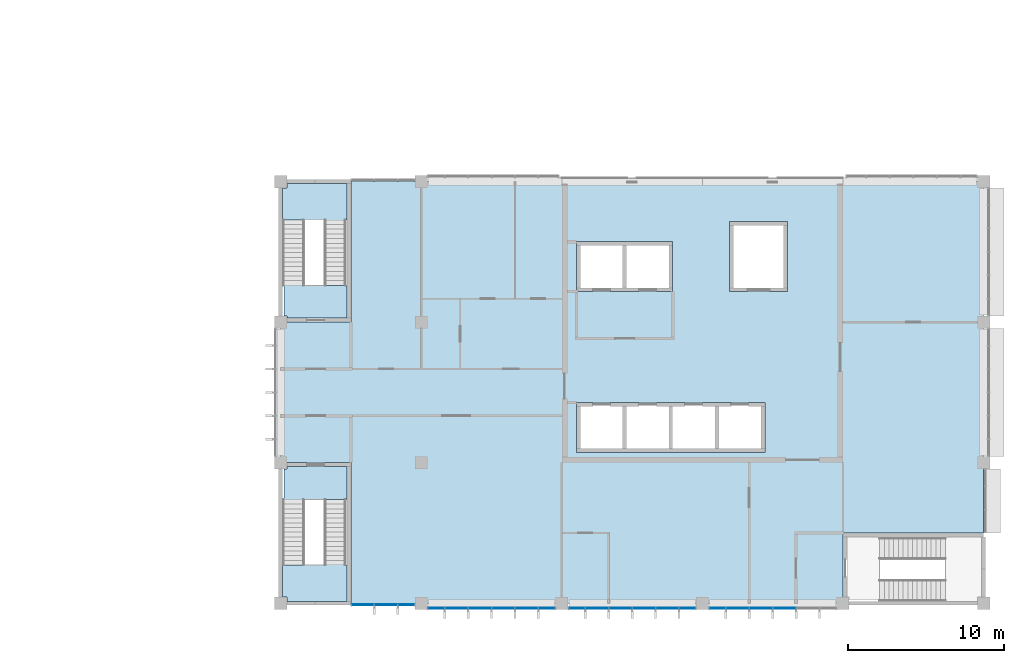
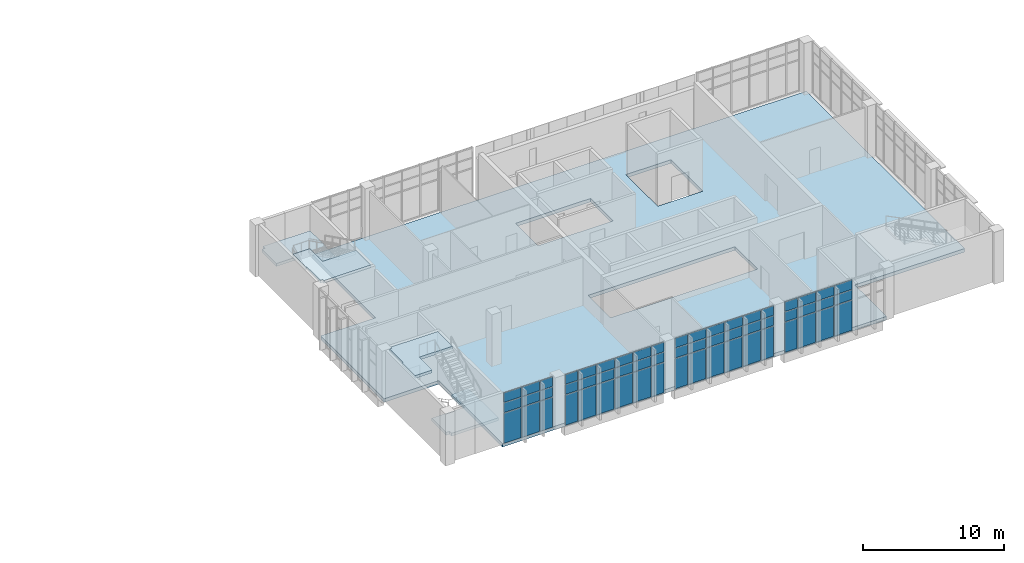
# One storey, part 19 of 40: 57 plates, 5 slabs, 6 elements without a shape of their own.
"""IFC4 building model written with IfcOpenShell, lengths in metres."""

from ifc_helpers import new_model, si_unit, direction, frame, origin, origin_2d, place, context, subcontext, project, spatial, polyline, rectangle, outline, extrude, material, layer, layer_set, type_object, element, aggregate, save


model = new_model("IFC4")

# Units and contexts
model_context = context("Model", 3, precision=1e-05, world=origin(), true_north=direction((0.0, 1.0)))
body_context = subcontext(model_context, "Body", "Model", "MODEL_VIEW")
ifc_project = project(units=[si_unit("LENGTHUNIT", "METRE"), si_unit("AREAUNIT", "SQUARE_METRE"), si_unit("VOLUMEUNIT", "CUBIC_METRE"), si_unit("PLANEANGLEUNIT", "RADIAN"), si_unit("MASSUNIT", "GRAM", prefix="KILO")], contexts=[model_context])

# Site, building, storey
site_placement = place(None, origin())
site = spatial("IfcSite", under=ifc_project, at=site_placement, CompositionType="ELEMENT")
building_placement = place(site_placement, origin())
building = spatial("IfcBuilding", under=site, at=building_placement, Name="Guidao Yard Department Store", CompositionType="ELEMENT")
storey_placement = place(building_placement, frame((0.0, 0.0, 24.0)))
storey = spatial("IfcBuildingStorey", under=building, at=storey_placement, Name="L05", CompositionType="ELEMENT", Elevation=24.0)

# Slab
ifc_material_1 = material(Name="Concrete C35", Category="concrete")
ifc_layer_1 = layer(ifc_material_1, 0.300048828125)
ifc_layer_set_1 = layer_set([ifc_layer_1], Name="Flat slab 300 C35")
slab_type_1 = type_object("IfcSlabType", Name="Flat slab 300 C35", PredefinedType="FLOOR", material=ifc_layer_set_1)
slab_1_placement = place(storey_placement, frame((0.0, 0.0, -0.300048828125)))
element("IfcSlab", 1, at=slab_1_placement, inside=storey, type_object=slab_type_1, Name="Slab L05-O", PredefinedType="FLOOR", context=body_context, shape_type="SweptSolid", body=[
    extrude(outline(polyline([(171.0, 4.5), (162.0, 4.5), (162.0, 0.0), (130.5, 0.0), (130.5, 9.0), (126.0, 9.0), (126.0, 18.0), (130.5, 18.0), (130.5, 27.0), (171.0, 27.0), (171.0, 4.5)]), holes=[polyline([(153.800048828125, 12.85009765625), (151.10009765625, 12.85009765625), (150.85009765625, 12.85009765625), (148.14990234375, 12.85009765625), (147.89990234375, 12.85009765625), (144.949951171875, 12.85009765625), (144.949951171875, 9.64990234375), (147.89990234375, 9.64990234375), (148.14990234375, 9.64990234375), (150.85009765625, 9.64990234375), (151.10009765625, 9.64990234375), (153.800048828125, 9.64990234375), (154.050048828125, 9.64990234375), (157.0, 9.64990234375), (157.0, 12.85009765625), (154.050048828125, 12.85009765625), (153.800048828125, 12.85009765625)]), polyline([(147.89990234375, 19.949951171875), (148.14990234375, 19.949951171875), (151.10009765625, 19.949951171875), (151.10009765625, 23.14990234375), (148.14990234375, 23.14990234375), (147.89990234375, 23.14990234375), (144.949951171875, 23.14990234375), (144.949951171875, 19.949951171875), (147.89990234375, 19.949951171875)]), polyline([(154.75, 19.949951171875), (158.449951171875, 19.949951171875), (158.449951171875, 24.449951171875), (154.75, 24.449951171875), (154.75, 19.949951171875)])]), origin(), (0.0, 0.0, 1.0), 0.300048828125),
])

# Curtain wall, plates
ifc_material_2 = material(Name="Aluminium and glass", Category="aluminium")
ifc_layer_2 = layer(ifc_material_2, 0.159912109375)
ifc_layer_set_2 = layer_set([ifc_layer_2], Name="Unitised curtain wall CW4 1500 module")
curtain_wall_type = type_object("IfcCurtainWallType", Name="Unitised curtain wall CW4 1500 module", PredefinedType="NOTDEFINED", material=ifc_layer_set_2)
curtain_wall_1_placement = place(storey_placement, origin())
curtain_wall_1 = element("IfcCurtainWall", 2, at=curtain_wall_1_placement, inside=storey, type_object=curtain_wall_type, Name="Unitised curtain wall", PredefinedType="NOTDEFINED")
ifc_material_3 = material(Name="Aluminium 6063-T5 faced insulated spandrel", Category="aluminium")
ifc_layer_3 = layer(ifc_material_3, 0.06005859375)
ifc_layer_set_3 = layer_set([ifc_layer_3], Name="Spandrel panel SP1 insulated opaque")
plate_type_1 = type_object("IfcPlateType", Name="Spandrel panel SP1 insulated opaque", PredefinedType="CURTAIN_PANEL", material=ifc_layer_set_3)
plate_1_placement = place(storey_placement, frame((131.264892578125, -0.10009765625, 3.6298828125), z_axis=(0.0, 0.0, 1.0), x_axis=(-1.0, 0.0, 0.0)))
plate_1 = element("IfcPlate", 3, at=plate_1_placement, type_object=plate_type_1, Name="CW-OW-L05-01 panel 1.3", PredefinedType="CURTAIN_PANEL", context=body_context, shape_type="SweptSolid", body=[
    extrude(rectangle(XDim=1.409912109375, YDim=0.06005859375, at=origin_2d()), origin(), (0.0, 0.0, 1.0), 0.81005859375),
])
plate_2_placement = place(storey_placement, frame((132.75, -0.10009765625, 3.6298828125), z_axis=(0.0, 0.0, 1.0), x_axis=(-1.0, 0.0, 0.0)))
plate_2 = element("IfcPlate", 4, at=plate_2_placement, type_object=plate_type_1, Name="CW-OW-L05-01 panel 2.3", PredefinedType="CURTAIN_PANEL", context=body_context, shape_type="SweptSolid", body=[
    extrude(rectangle(XDim=1.43994140625, YDim=0.06005859375, at=origin_2d()), origin(), (0.0, 0.0, 1.0), 0.81005859375),
])
plate_3_placement = place(storey_placement, frame((134.034912109375, -0.10009765625, 3.6298828125), z_axis=(0.0, 0.0, 1.0), x_axis=(-1.0, 0.0, 0.0)))
plate_3 = element("IfcPlate", 5, at=plate_3_placement, type_object=plate_type_1, Name="CW-OW-L05-01 panel 3.3", PredefinedType="CURTAIN_PANEL", context=body_context, shape_type="SweptSolid", body=[
    extrude(rectangle(XDim=1.010009765625, YDim=0.06005859375, at=origin_2d()), origin(), (0.0, 0.0, 1.0), 0.81005859375),
])

curtain_wall_2_placement = place(storey_placement, origin())
curtain_wall_2 = element("IfcCurtainWall", 6, at=curtain_wall_2_placement, inside=storey, type_object=curtain_wall_type, Name="Unitised curtain wall", PredefinedType="NOTDEFINED")
plate_4_placement = place(storey_placement, frame((135.965087890625, -0.330078125, 3.6298828125), z_axis=(0.0, 0.0, 1.0), x_axis=(-1.0, 0.0, 0.0)))
plate_4 = element("IfcPlate", 7, at=plate_4_placement, type_object=plate_type_1, Name="CW-OW-L05-02 panel 1.3", PredefinedType="CURTAIN_PANEL", context=body_context, shape_type="SweptSolid", body=[
    extrude(rectangle(XDim=1.010009765625, YDim=0.06005859375, at=origin_2d()), origin(), (0.0, 0.0, 1.0), 0.81005859375),
])
plate_5_placement = place(storey_placement, frame((137.25, -0.330078125, 3.6298828125), z_axis=(0.0, 0.0, 1.0), x_axis=(-1.0, 0.0, 0.0)))
plate_5 = element("IfcPlate", 8, at=plate_5_placement, type_object=plate_type_1, Name="CW-OW-L05-02 panel 2.3", PredefinedType="CURTAIN_PANEL", context=body_context, shape_type="SweptSolid", body=[
    extrude(rectangle(XDim=1.43994140625, YDim=0.06005859375, at=origin_2d()), origin(), (0.0, 0.0, 1.0), 0.81005859375),
])
plate_6_placement = place(storey_placement, frame((138.75, -0.330078125, 3.6298828125), z_axis=(0.0, 0.0, 1.0), x_axis=(-1.0, 0.0, 0.0)))
plate_6 = element("IfcPlate", 9, at=plate_6_placement, type_object=plate_type_1, Name="CW-OW-L05-02 panel 3.3", PredefinedType="CURTAIN_PANEL", context=body_context, shape_type="SweptSolid", body=[
    extrude(rectangle(XDim=1.43994140625, YDim=0.06005859375, at=origin_2d()), origin(), (0.0, 0.0, 1.0), 0.81005859375),
])
plate_7_placement = place(storey_placement, frame((140.25, -0.330078125, 3.6298828125), z_axis=(0.0, 0.0, 1.0), x_axis=(-1.0, 0.0, 0.0)))
plate_7 = element("IfcPlate", 10, at=plate_7_placement, type_object=plate_type_1, Name="CW-OW-L05-02 panel 4.3", PredefinedType="CURTAIN_PANEL", context=body_context, shape_type="SweptSolid", body=[
    extrude(rectangle(XDim=1.43994140625, YDim=0.06005859375, at=origin_2d()), origin(), (0.0, 0.0, 1.0), 0.81005859375),
])
plate_8_placement = place(storey_placement, frame((141.75, -0.330078125, 3.6298828125), z_axis=(0.0, 0.0, 1.0), x_axis=(-1.0, 0.0, 0.0)))
plate_8 = element("IfcPlate", 11, at=plate_8_placement, type_object=plate_type_1, Name="CW-OW-L05-02 panel 5.3", PredefinedType="CURTAIN_PANEL", context=body_context, shape_type="SweptSolid", body=[
    extrude(rectangle(XDim=1.43994140625, YDim=0.06005859375, at=origin_2d()), origin(), (0.0, 0.0, 1.0), 0.81005859375),
])
plate_9_placement = place(storey_placement, frame((143.034912109375, -0.330078125, 3.6298828125), z_axis=(0.0, 0.0, 1.0), x_axis=(-1.0, 0.0, 0.0)))
plate_9 = element("IfcPlate", 12, at=plate_9_placement, type_object=plate_type_1, Name="CW-OW-L05-02 panel 6.3", PredefinedType="CURTAIN_PANEL", context=body_context, shape_type="SweptSolid", body=[
    extrude(rectangle(XDim=1.010009765625, YDim=0.06005859375, at=origin_2d()), origin(), (0.0, 0.0, 1.0), 0.81005859375),
])

curtain_wall_3_placement = place(storey_placement, origin())
curtain_wall_3 = element("IfcCurtainWall", 13, at=curtain_wall_3_placement, inside=storey, type_object=curtain_wall_type, Name="Unitised curtain wall", PredefinedType="NOTDEFINED")
plate_10_placement = place(storey_placement, frame((144.965087890625, -0.330078125, 3.6298828125), z_axis=(0.0, 0.0, 1.0), x_axis=(-1.0, 0.0, 0.0)))
plate_10 = element("IfcPlate", 14, at=plate_10_placement, type_object=plate_type_1, Name="CW-OW-L05-03 panel 1.3", PredefinedType="CURTAIN_PANEL", context=body_context, shape_type="SweptSolid", body=[
    extrude(rectangle(XDim=1.010009765625, YDim=0.06005859375, at=origin_2d()), origin(), (0.0, 0.0, 1.0), 0.81005859375),
])
plate_11_placement = place(storey_placement, frame((146.25, -0.330078125, 3.6298828125), z_axis=(0.0, 0.0, 1.0), x_axis=(-1.0, 0.0, 0.0)))
plate_11 = element("IfcPlate", 15, at=plate_11_placement, type_object=plate_type_1, Name="CW-OW-L05-03 panel 2.3", PredefinedType="CURTAIN_PANEL", context=body_context, shape_type="SweptSolid", body=[
    extrude(rectangle(XDim=1.43994140625, YDim=0.06005859375, at=origin_2d()), origin(), (0.0, 0.0, 1.0), 0.81005859375),
])
plate_12_placement = place(storey_placement, frame((147.75, -0.330078125, 3.6298828125), z_axis=(0.0, 0.0, 1.0), x_axis=(-1.0, 0.0, 0.0)))
plate_12 = element("IfcPlate", 16, at=plate_12_placement, type_object=plate_type_1, Name="CW-OW-L05-03 panel 3.3", PredefinedType="CURTAIN_PANEL", context=body_context, shape_type="SweptSolid", body=[
    extrude(rectangle(XDim=1.43994140625, YDim=0.06005859375, at=origin_2d()), origin(), (0.0, 0.0, 1.0), 0.81005859375),
])
plate_13_placement = place(storey_placement, frame((149.25, -0.330078125, 3.6298828125), z_axis=(0.0, 0.0, 1.0), x_axis=(-1.0, 0.0, 0.0)))
plate_13 = element("IfcPlate", 17, at=plate_13_placement, type_object=plate_type_1, Name="CW-OW-L05-03 panel 4.3", PredefinedType="CURTAIN_PANEL", context=body_context, shape_type="SweptSolid", body=[
    extrude(rectangle(XDim=1.43994140625, YDim=0.06005859375, at=origin_2d()), origin(), (0.0, 0.0, 1.0), 0.81005859375),
])
plate_14_placement = place(storey_placement, frame((150.75, -0.330078125, 3.6298828125), z_axis=(0.0, 0.0, 1.0), x_axis=(-1.0, 0.0, 0.0)))
plate_14 = element("IfcPlate", 18, at=plate_14_placement, type_object=plate_type_1, Name="CW-OW-L05-03 panel 5.3", PredefinedType="CURTAIN_PANEL", context=body_context, shape_type="SweptSolid", body=[
    extrude(rectangle(XDim=1.43994140625, YDim=0.06005859375, at=origin_2d()), origin(), (0.0, 0.0, 1.0), 0.81005859375),
])
plate_15_placement = place(storey_placement, frame((152.034912109375, -0.330078125, 3.6298828125), z_axis=(0.0, 0.0, 1.0), x_axis=(-1.0, 0.0, 0.0)))
plate_15 = element("IfcPlate", 19, at=plate_15_placement, type_object=plate_type_1, Name="CW-OW-L05-03 panel 6.3", PredefinedType="CURTAIN_PANEL", context=body_context, shape_type="SweptSolid", body=[
    extrude(rectangle(XDim=1.010009765625, YDim=0.06005859375, at=origin_2d()), origin(), (0.0, 0.0, 1.0), 0.81005859375),
])

curtain_wall_4_placement = place(storey_placement, origin())
curtain_wall_4 = element("IfcCurtainWall", 20, at=curtain_wall_4_placement, inside=storey, type_object=curtain_wall_type, Name="Unitised curtain wall", PredefinedType="NOTDEFINED")
plate_16_placement = place(storey_placement, frame((153.965087890625, -0.330078125, 3.6298828125), z_axis=(0.0, 0.0, 1.0), x_axis=(-1.0, 0.0, 0.0)))
plate_16 = element("IfcPlate", 21, at=plate_16_placement, type_object=plate_type_1, Name="CW-OW-L05-04 panel 1.3", PredefinedType="CURTAIN_PANEL", context=body_context, shape_type="SweptSolid", body=[
    extrude(rectangle(XDim=1.010009765625, YDim=0.06005859375, at=origin_2d()), origin(), (0.0, 0.0, 1.0), 0.81005859375),
])
plate_17_placement = place(storey_placement, frame((155.25, -0.330078125, 3.6298828125), z_axis=(0.0, 0.0, 1.0), x_axis=(-1.0, 0.0, 0.0)))
plate_17 = element("IfcPlate", 22, at=plate_17_placement, type_object=plate_type_1, Name="CW-OW-L05-04 panel 2.3", PredefinedType="CURTAIN_PANEL", context=body_context, shape_type="SweptSolid", body=[
    extrude(rectangle(XDim=1.43994140625, YDim=0.06005859375, at=origin_2d()), origin(), (0.0, 0.0, 1.0), 0.81005859375),
])
plate_18_placement = place(storey_placement, frame((156.75, -0.330078125, 3.6298828125), z_axis=(0.0, 0.0, 1.0), x_axis=(-1.0, 0.0, 0.0)))
plate_18 = element("IfcPlate", 23, at=plate_18_placement, type_object=plate_type_1, Name="CW-OW-L05-04 panel 3.3", PredefinedType="CURTAIN_PANEL", context=body_context, shape_type="SweptSolid", body=[
    extrude(rectangle(XDim=1.43994140625, YDim=0.06005859375, at=origin_2d()), origin(), (0.0, 0.0, 1.0), 0.81005859375),
])
plate_19_placement = place(storey_placement, frame((158.25, -0.330078125, 3.6298828125), z_axis=(0.0, 0.0, 1.0), x_axis=(-1.0, 0.0, 0.0)))
plate_19 = element("IfcPlate", 24, at=plate_19_placement, type_object=plate_type_1, Name="CW-OW-L05-04 panel 4.3", PredefinedType="CURTAIN_PANEL", context=body_context, shape_type="SweptSolid", body=[
    extrude(rectangle(XDim=1.43994140625, YDim=0.06005859375, at=origin_2d()), origin(), (0.0, 0.0, 1.0), 0.81005859375),
])

# Stair, slabs
ifc_material_4 = material(Name="Concrete C35", Category="concrete")
stair_type = type_object("IfcStairType", Name="Stair half-turn two-flight 1400 wide 4.5 m rise", PredefinedType="HALF_TURN_STAIR", material=ifc_material_4)
stair_1_placement = place(storey_placement, origin())
stair_1 = element("IfcStair", 25, at=stair_1_placement, inside=storey, type_object=stair_type, Name="Stair O1 L05 to L06", PredefinedType="HALF_TURN_STAIR")
ifc_material_5 = material(Name="Concrete C35", Category="concrete")
ifc_layer_4 = layer(ifc_material_5, 0.25)
ifc_layer_set_4 = layer_set([ifc_layer_4], Name="Stair landing RC 250 C35")
slab_type_2 = type_object("IfcSlabType", Name="Stair landing RC 250 C35", PredefinedType="LANDING", material=ifc_layer_set_4)
slab_2_placement = place(storey_placement, frame((0.0, 0.0, 2.0)))
slab_2 = element("IfcSlab", 26, at=slab_2_placement, type_object=slab_type_2, Name="SO1-L05 landing 1", PredefinedType="LANDING", context=body_context, shape_type="SweptSolid", body=[
    extrude(outline(polyline([(126.39990234375, 0.125), (126.39990234375, 0.39990234375), (126.125, 0.39990234375), (126.125, 2.449951171875), (126.125, 2.4599609375), (127.52490234375, 2.4599609375), (127.52490234375, 2.449951171875), (128.800048828125, 2.449951171875), (128.800048828125, 4.280029296875), (130.199951171875, 4.280029296875), (130.199951171875, 2.449951171875), (130.25, 2.449951171875), (130.25, 0.125), (126.39990234375, 0.125)])), origin(), (0.0, 0.0, 1.0), 0.25),
])
slab_3_placement = place(storey_placement, frame((0.0, 0.0, 4.25)))
slab_3 = element("IfcSlab", 27, at=slab_3_placement, type_object=slab_type_2, Name="SO1-L05 landing 2", PredefinedType="LANDING", context=body_context, shape_type="SweptSolid", body=[
    extrude(outline(polyline([(126.125, 6.64990234375), (126.199951171875, 6.64990234375), (126.199951171875, 8.60009765625), (126.39990234375, 8.60009765625), (126.39990234375, 8.75), (128.800048828125, 8.75), (130.25, 8.75), (130.25, 6.639892578125), (128.800048828125, 6.639892578125), (128.800048828125, 6.64990234375), (127.52490234375, 6.64990234375), (127.52490234375, 4.820068359375), (126.125, 4.820068359375), (126.125, 6.64990234375)])), origin(), (0.0, 0.0, 1.0), 0.25),
])
aggregate(stair_1, [slab_2, slab_3])

stair_2_placement = place(storey_placement, origin())
stair_2 = element("IfcStair", 28, at=stair_2_placement, inside=storey, type_object=stair_type, Name="Stair O3 L05 to L06", PredefinedType="HALF_TURN_STAIR")
slab_4_placement = place(storey_placement, frame((0.0, 0.0, 2.0)))
slab_4 = element("IfcSlab", 29, at=slab_4_placement, type_object=slab_type_2, Name="SO3-L05 landing 1", PredefinedType="LANDING", context=body_context, shape_type="SweptSolid", body=[
    extrude(outline(polyline([(128.800048828125, 24.550048828125), (127.52490234375, 24.550048828125), (127.52490234375, 24.5400390625), (126.125, 24.5400390625), (126.125, 24.550048828125), (126.125, 26.60009765625), (126.39990234375, 26.60009765625), (126.39990234375, 26.875), (130.25, 26.875), (130.25, 24.550048828125), (130.199951171875, 24.550048828125), (130.199951171875, 22.719970703125), (128.800048828125, 22.719970703125), (128.800048828125, 24.550048828125)])), origin(), (0.0, 0.0, 1.0), 0.25),
])
slab_5_placement = place(storey_placement, frame((0.0, 0.0, 4.25)))
slab_5 = element("IfcSlab", 30, at=slab_5_placement, type_object=slab_type_2, Name="SO3-L05 landing 2", PredefinedType="LANDING", context=body_context, shape_type="SweptSolid", body=[
    extrude(outline(polyline([(130.25, 20.360107421875), (130.25, 18.25), (128.800048828125, 18.25), (126.39990234375, 18.25), (126.39990234375, 18.39990234375), (126.199951171875, 18.39990234375), (126.199951171875, 20.35009765625), (126.125, 20.35009765625), (126.125, 22.179931640625), (127.52490234375, 22.179931640625), (127.52490234375, 20.35009765625), (128.800048828125, 20.35009765625), (128.800048828125, 20.360107421875), (130.25, 20.360107421875)])), origin(), (0.0, 0.0, 1.0), 0.25),
])
aggregate(stair_2, [slab_4, slab_5])

# Plate
ifc_material_6 = material(Name="Laminated heat-soaked tempered glass", Category="glass")
ifc_layer_5 = layer(ifc_material_6, 0.017578125)
ifc_layer_set_5 = layer_set([ifc_layer_5], Name="Vision glass VG1 laminated heat-soaked tempered 8+8")
plate_type_2 = type_object("IfcPlateType", Name="Vision glass VG1 laminated heat-soaked tempered 8+8", PredefinedType="CURTAIN_PANEL", material=ifc_layer_set_5)
plate_20_placement = place(storey_placement, frame((131.264892578125, -0.10009765625, 0.06005859375), z_axis=(0.0, 0.0, 1.0), x_axis=(-1.0, 0.0, 0.0)))
plate_20 = element("IfcPlate", 31, at=plate_20_placement, type_object=plate_type_2, Name="CW-OW-L05-01 panel 1.1", PredefinedType="CURTAIN_PANEL", context=body_context, shape_type="SweptSolid", body=[
    extrude(rectangle(XDim=1.409912109375, YDim=0.017578125, at=origin_2d()), origin(), (0.0, 0.0, 1.0), 2.610107421875),
])

plate_21_placement = place(storey_placement, frame((131.264892578125, -0.10009765625, 2.72998046875), z_axis=(0.0, 0.0, 1.0), x_axis=(-1.0, 0.0, 0.0)))
plate_21 = element("IfcPlate", 32, at=plate_21_placement, type_object=plate_type_2, Name="CW-OW-L05-01 panel 1.2", PredefinedType="CURTAIN_PANEL", context=body_context, shape_type="SweptSolid", body=[
    extrude(rectangle(XDim=1.409912109375, YDim=0.017578125, at=origin_2d()), origin(), (0.0, 0.0, 1.0), 0.840087890625),
])

plate_22_placement = place(storey_placement, frame((132.75, -0.10009765625, 0.06005859375), z_axis=(0.0, 0.0, 1.0), x_axis=(-1.0, 0.0, 0.0)))
plate_22 = element("IfcPlate", 33, at=plate_22_placement, type_object=plate_type_2, Name="CW-OW-L05-01 panel 2.1", PredefinedType="CURTAIN_PANEL", context=body_context, shape_type="SweptSolid", body=[
    extrude(rectangle(XDim=1.43994140625, YDim=0.017578125, at=origin_2d()), origin(), (0.0, 0.0, 1.0), 2.610107421875),
])

plate_23_placement = place(storey_placement, frame((132.75, -0.10009765625, 2.72998046875), z_axis=(0.0, 0.0, 1.0), x_axis=(-1.0, 0.0, 0.0)))
plate_23 = element("IfcPlate", 34, at=plate_23_placement, type_object=plate_type_2, Name="CW-OW-L05-01 panel 2.2", PredefinedType="CURTAIN_PANEL", context=body_context, shape_type="SweptSolid", body=[
    extrude(rectangle(XDim=1.43994140625, YDim=0.017578125, at=origin_2d()), origin(), (0.0, 0.0, 1.0), 0.840087890625),
])

plate_24_placement = place(storey_placement, frame((134.034912109375, -0.10009765625, 0.06005859375), z_axis=(0.0, 0.0, 1.0), x_axis=(-1.0, 0.0, 0.0)))
plate_24 = element("IfcPlate", 35, at=plate_24_placement, type_object=plate_type_2, Name="CW-OW-L05-01 panel 3.1", PredefinedType="CURTAIN_PANEL", context=body_context, shape_type="SweptSolid", body=[
    extrude(rectangle(XDim=1.010009765625, YDim=0.017578125, at=origin_2d()), origin(), (0.0, 0.0, 1.0), 2.610107421875),
])

plate_25_placement = place(storey_placement, frame((134.034912109375, -0.10009765625, 2.72998046875), z_axis=(0.0, 0.0, 1.0), x_axis=(-1.0, 0.0, 0.0)))
plate_25 = element("IfcPlate", 36, at=plate_25_placement, type_object=plate_type_2, Name="CW-OW-L05-01 panel 3.2", PredefinedType="CURTAIN_PANEL", context=body_context, shape_type="SweptSolid", body=[
    extrude(rectangle(XDim=1.010009765625, YDim=0.017578125, at=origin_2d()), origin(), (0.0, 0.0, 1.0), 0.840087890625),
])

aggregate(curtain_wall_1, [plate_20, plate_21, plate_1, plate_22, plate_23, plate_2, plate_24, plate_25, plate_3])

plate_26_placement = place(storey_placement, frame((135.965087890625, -0.330078125, 0.06005859375), z_axis=(0.0, 0.0, 1.0), x_axis=(-1.0, 0.0, 0.0)))
plate_26 = element("IfcPlate", 37, at=plate_26_placement, type_object=plate_type_2, Name="CW-OW-L05-02 panel 1.1", PredefinedType="CURTAIN_PANEL", context=body_context, shape_type="SweptSolid", body=[
    extrude(rectangle(XDim=1.010009765625, YDim=0.017578125, at=origin_2d()), origin(), (0.0, 0.0, 1.0), 2.610107421875),
])

plate_27_placement = place(storey_placement, frame((135.965087890625, -0.330078125, 2.72998046875), z_axis=(0.0, 0.0, 1.0), x_axis=(-1.0, 0.0, 0.0)))
plate_27 = element("IfcPlate", 38, at=plate_27_placement, type_object=plate_type_2, Name="CW-OW-L05-02 panel 1.2", PredefinedType="CURTAIN_PANEL", context=body_context, shape_type="SweptSolid", body=[
    extrude(rectangle(XDim=1.010009765625, YDim=0.017578125, at=origin_2d()), origin(), (0.0, 0.0, 1.0), 0.840087890625),
])

plate_28_placement = place(storey_placement, frame((137.25, -0.330078125, 0.06005859375), z_axis=(0.0, 0.0, 1.0), x_axis=(-1.0, 0.0, 0.0)))
plate_28 = element("IfcPlate", 39, at=plate_28_placement, type_object=plate_type_2, Name="CW-OW-L05-02 panel 2.1", PredefinedType="CURTAIN_PANEL", context=body_context, shape_type="SweptSolid", body=[
    extrude(rectangle(XDim=1.43994140625, YDim=0.017578125, at=origin_2d()), origin(), (0.0, 0.0, 1.0), 2.610107421875),
])

plate_29_placement = place(storey_placement, frame((137.25, -0.330078125, 2.72998046875), z_axis=(0.0, 0.0, 1.0), x_axis=(-1.0, 0.0, 0.0)))
plate_29 = element("IfcPlate", 40, at=plate_29_placement, type_object=plate_type_2, Name="CW-OW-L05-02 panel 2.2", PredefinedType="CURTAIN_PANEL", context=body_context, shape_type="SweptSolid", body=[
    extrude(rectangle(XDim=1.43994140625, YDim=0.017578125, at=origin_2d()), origin(), (0.0, 0.0, 1.0), 0.840087890625),
])

plate_30_placement = place(storey_placement, frame((138.75, -0.330078125, 0.06005859375), z_axis=(0.0, 0.0, 1.0), x_axis=(-1.0, 0.0, 0.0)))
plate_30 = element("IfcPlate", 41, at=plate_30_placement, type_object=plate_type_2, Name="CW-OW-L05-02 panel 3.1", PredefinedType="CURTAIN_PANEL", context=body_context, shape_type="SweptSolid", body=[
    extrude(rectangle(XDim=1.43994140625, YDim=0.017578125, at=origin_2d()), origin(), (0.0, 0.0, 1.0), 2.610107421875),
])

plate_31_placement = place(storey_placement, frame((138.75, -0.330078125, 2.72998046875), z_axis=(0.0, 0.0, 1.0), x_axis=(-1.0, 0.0, 0.0)))
plate_31 = element("IfcPlate", 42, at=plate_31_placement, type_object=plate_type_2, Name="CW-OW-L05-02 panel 3.2", PredefinedType="CURTAIN_PANEL", context=body_context, shape_type="SweptSolid", body=[
    extrude(rectangle(XDim=1.43994140625, YDim=0.017578125, at=origin_2d()), origin(), (0.0, 0.0, 1.0), 0.840087890625),
])

plate_32_placement = place(storey_placement, frame((140.25, -0.330078125, 0.06005859375), z_axis=(0.0, 0.0, 1.0), x_axis=(-1.0, 0.0, 0.0)))
plate_32 = element("IfcPlate", 43, at=plate_32_placement, type_object=plate_type_2, Name="CW-OW-L05-02 panel 4.1", PredefinedType="CURTAIN_PANEL", context=body_context, shape_type="SweptSolid", body=[
    extrude(rectangle(XDim=1.43994140625, YDim=0.017578125, at=origin_2d()), origin(), (0.0, 0.0, 1.0), 2.610107421875),
])

plate_33_placement = place(storey_placement, frame((140.25, -0.330078125, 2.72998046875), z_axis=(0.0, 0.0, 1.0), x_axis=(-1.0, 0.0, 0.0)))
plate_33 = element("IfcPlate", 44, at=plate_33_placement, type_object=plate_type_2, Name="CW-OW-L05-02 panel 4.2", PredefinedType="CURTAIN_PANEL", context=body_context, shape_type="SweptSolid", body=[
    extrude(rectangle(XDim=1.43994140625, YDim=0.017578125, at=origin_2d()), origin(), (0.0, 0.0, 1.0), 0.840087890625),
])

plate_34_placement = place(storey_placement, frame((141.75, -0.330078125, 0.06005859375), z_axis=(0.0, 0.0, 1.0), x_axis=(-1.0, 0.0, 0.0)))
plate_34 = element("IfcPlate", 45, at=plate_34_placement, type_object=plate_type_2, Name="CW-OW-L05-02 panel 5.1", PredefinedType="CURTAIN_PANEL", context=body_context, shape_type="SweptSolid", body=[
    extrude(rectangle(XDim=1.43994140625, YDim=0.017578125, at=origin_2d()), origin(), (0.0, 0.0, 1.0), 2.610107421875),
])

plate_35_placement = place(storey_placement, frame((141.75, -0.330078125, 2.72998046875), z_axis=(0.0, 0.0, 1.0), x_axis=(-1.0, 0.0, 0.0)))
plate_35 = element("IfcPlate", 46, at=plate_35_placement, type_object=plate_type_2, Name="CW-OW-L05-02 panel 5.2", PredefinedType="CURTAIN_PANEL", context=body_context, shape_type="SweptSolid", body=[
    extrude(rectangle(XDim=1.43994140625, YDim=0.017578125, at=origin_2d()), origin(), (0.0, 0.0, 1.0), 0.840087890625),
])

plate_36_placement = place(storey_placement, frame((143.034912109375, -0.330078125, 0.06005859375), z_axis=(0.0, 0.0, 1.0), x_axis=(-1.0, 0.0, 0.0)))
plate_36 = element("IfcPlate", 47, at=plate_36_placement, type_object=plate_type_2, Name="CW-OW-L05-02 panel 6.1", PredefinedType="CURTAIN_PANEL", context=body_context, shape_type="SweptSolid", body=[
    extrude(rectangle(XDim=1.010009765625, YDim=0.017578125, at=origin_2d()), origin(), (0.0, 0.0, 1.0), 2.610107421875),
])

plate_37_placement = place(storey_placement, frame((143.034912109375, -0.330078125, 2.72998046875), z_axis=(0.0, 0.0, 1.0), x_axis=(-1.0, 0.0, 0.0)))
plate_37 = element("IfcPlate", 48, at=plate_37_placement, type_object=plate_type_2, Name="CW-OW-L05-02 panel 6.2", PredefinedType="CURTAIN_PANEL", context=body_context, shape_type="SweptSolid", body=[
    extrude(rectangle(XDim=1.010009765625, YDim=0.017578125, at=origin_2d()), origin(), (0.0, 0.0, 1.0), 0.840087890625),
])

aggregate(curtain_wall_2, [plate_26, plate_27, plate_4, plate_28, plate_29, plate_5, plate_30, plate_31, plate_6, plate_32, plate_33, plate_7, plate_34, plate_35, plate_8, plate_36, plate_37, plate_9])

plate_38_placement = place(storey_placement, frame((144.965087890625, -0.330078125, 0.06005859375), z_axis=(0.0, 0.0, 1.0), x_axis=(-1.0, 0.0, 0.0)))
plate_38 = element("IfcPlate", 49, at=plate_38_placement, type_object=plate_type_2, Name="CW-OW-L05-03 panel 1.1", PredefinedType="CURTAIN_PANEL", context=body_context, shape_type="SweptSolid", body=[
    extrude(rectangle(XDim=1.010009765625, YDim=0.017578125, at=origin_2d()), origin(), (0.0, 0.0, 1.0), 2.610107421875),
])

plate_39_placement = place(storey_placement, frame((144.965087890625, -0.330078125, 2.72998046875), z_axis=(0.0, 0.0, 1.0), x_axis=(-1.0, 0.0, 0.0)))
plate_39 = element("IfcPlate", 50, at=plate_39_placement, type_object=plate_type_2, Name="CW-OW-L05-03 panel 1.2", PredefinedType="CURTAIN_PANEL", context=body_context, shape_type="SweptSolid", body=[
    extrude(rectangle(XDim=1.010009765625, YDim=0.017578125, at=origin_2d()), origin(), (0.0, 0.0, 1.0), 0.840087890625),
])

plate_40_placement = place(storey_placement, frame((146.25, -0.330078125, 0.06005859375), z_axis=(0.0, 0.0, 1.0), x_axis=(-1.0, 0.0, 0.0)))
plate_40 = element("IfcPlate", 51, at=plate_40_placement, type_object=plate_type_2, Name="CW-OW-L05-03 panel 2.1", PredefinedType="CURTAIN_PANEL", context=body_context, shape_type="SweptSolid", body=[
    extrude(rectangle(XDim=1.43994140625, YDim=0.017578125, at=origin_2d()), origin(), (0.0, 0.0, 1.0), 2.610107421875),
])

plate_41_placement = place(storey_placement, frame((146.25, -0.330078125, 2.72998046875), z_axis=(0.0, 0.0, 1.0), x_axis=(-1.0, 0.0, 0.0)))
plate_41 = element("IfcPlate", 52, at=plate_41_placement, type_object=plate_type_2, Name="CW-OW-L05-03 panel 2.2", PredefinedType="CURTAIN_PANEL", context=body_context, shape_type="SweptSolid", body=[
    extrude(rectangle(XDim=1.43994140625, YDim=0.017578125, at=origin_2d()), origin(), (0.0, 0.0, 1.0), 0.840087890625),
])

plate_42_placement = place(storey_placement, frame((147.75, -0.330078125, 0.06005859375), z_axis=(0.0, 0.0, 1.0), x_axis=(-1.0, 0.0, 0.0)))
plate_42 = element("IfcPlate", 53, at=plate_42_placement, type_object=plate_type_2, Name="CW-OW-L05-03 panel 3.1", PredefinedType="CURTAIN_PANEL", context=body_context, shape_type="SweptSolid", body=[
    extrude(rectangle(XDim=1.43994140625, YDim=0.017578125, at=origin_2d()), origin(), (0.0, 0.0, 1.0), 2.610107421875),
])

plate_43_placement = place(storey_placement, frame((147.75, -0.330078125, 2.72998046875), z_axis=(0.0, 0.0, 1.0), x_axis=(-1.0, 0.0, 0.0)))
plate_43 = element("IfcPlate", 54, at=plate_43_placement, type_object=plate_type_2, Name="CW-OW-L05-03 panel 3.2", PredefinedType="CURTAIN_PANEL", context=body_context, shape_type="SweptSolid", body=[
    extrude(rectangle(XDim=1.43994140625, YDim=0.017578125, at=origin_2d()), origin(), (0.0, 0.0, 1.0), 0.840087890625),
])

plate_44_placement = place(storey_placement, frame((149.25, -0.330078125, 0.06005859375), z_axis=(0.0, 0.0, 1.0), x_axis=(-1.0, 0.0, 0.0)))
plate_44 = element("IfcPlate", 55, at=plate_44_placement, type_object=plate_type_2, Name="CW-OW-L05-03 panel 4.1", PredefinedType="CURTAIN_PANEL", context=body_context, shape_type="SweptSolid", body=[
    extrude(rectangle(XDim=1.43994140625, YDim=0.017578125, at=origin_2d()), origin(), (0.0, 0.0, 1.0), 2.610107421875),
])

plate_45_placement = place(storey_placement, frame((149.25, -0.330078125, 2.72998046875), z_axis=(0.0, 0.0, 1.0), x_axis=(-1.0, 0.0, 0.0)))
plate_45 = element("IfcPlate", 56, at=plate_45_placement, type_object=plate_type_2, Name="CW-OW-L05-03 panel 4.2", PredefinedType="CURTAIN_PANEL", context=body_context, shape_type="SweptSolid", body=[
    extrude(rectangle(XDim=1.43994140625, YDim=0.017578125, at=origin_2d()), origin(), (0.0, 0.0, 1.0), 0.840087890625),
])

plate_46_placement = place(storey_placement, frame((150.75, -0.330078125, 0.06005859375), z_axis=(0.0, 0.0, 1.0), x_axis=(-1.0, 0.0, 0.0)))
plate_46 = element("IfcPlate", 57, at=plate_46_placement, type_object=plate_type_2, Name="CW-OW-L05-03 panel 5.1", PredefinedType="CURTAIN_PANEL", context=body_context, shape_type="SweptSolid", body=[
    extrude(rectangle(XDim=1.43994140625, YDim=0.017578125, at=origin_2d()), origin(), (0.0, 0.0, 1.0), 2.610107421875),
])

plate_47_placement = place(storey_placement, frame((150.75, -0.330078125, 2.72998046875), z_axis=(0.0, 0.0, 1.0), x_axis=(-1.0, 0.0, 0.0)))
plate_47 = element("IfcPlate", 58, at=plate_47_placement, type_object=plate_type_2, Name="CW-OW-L05-03 panel 5.2", PredefinedType="CURTAIN_PANEL", context=body_context, shape_type="SweptSolid", body=[
    extrude(rectangle(XDim=1.43994140625, YDim=0.017578125, at=origin_2d()), origin(), (0.0, 0.0, 1.0), 0.840087890625),
])

plate_48_placement = place(storey_placement, frame((152.034912109375, -0.330078125, 0.06005859375), z_axis=(0.0, 0.0, 1.0), x_axis=(-1.0, 0.0, 0.0)))
plate_48 = element("IfcPlate", 59, at=plate_48_placement, type_object=plate_type_2, Name="CW-OW-L05-03 panel 6.1", PredefinedType="CURTAIN_PANEL", context=body_context, shape_type="SweptSolid", body=[
    extrude(rectangle(XDim=1.010009765625, YDim=0.017578125, at=origin_2d()), origin(), (0.0, 0.0, 1.0), 2.610107421875),
])

plate_49_placement = place(storey_placement, frame((152.034912109375, -0.330078125, 2.72998046875), z_axis=(0.0, 0.0, 1.0), x_axis=(-1.0, 0.0, 0.0)))
plate_49 = element("IfcPlate", 60, at=plate_49_placement, type_object=plate_type_2, Name="CW-OW-L05-03 panel 6.2", PredefinedType="CURTAIN_PANEL", context=body_context, shape_type="SweptSolid", body=[
    extrude(rectangle(XDim=1.010009765625, YDim=0.017578125, at=origin_2d()), origin(), (0.0, 0.0, 1.0), 0.840087890625),
])

aggregate(curtain_wall_3, [plate_38, plate_39, plate_10, plate_40, plate_41, plate_11, plate_42, plate_43, plate_12, plate_44, plate_45, plate_13, plate_46, plate_47, plate_14, plate_48, plate_49, plate_15])

plate_50_placement = place(storey_placement, frame((153.965087890625, -0.330078125, 0.06005859375), z_axis=(0.0, 0.0, 1.0), x_axis=(-1.0, 0.0, 0.0)))
plate_50 = element("IfcPlate", 61, at=plate_50_placement, type_object=plate_type_2, Name="CW-OW-L05-04 panel 1.1", PredefinedType="CURTAIN_PANEL", context=body_context, shape_type="SweptSolid", body=[
    extrude(rectangle(XDim=1.010009765625, YDim=0.017578125, at=origin_2d()), origin(), (0.0, 0.0, 1.0), 2.610107421875),
])

plate_51_placement = place(storey_placement, frame((153.965087890625, -0.330078125, 2.72998046875), z_axis=(0.0, 0.0, 1.0), x_axis=(-1.0, 0.0, 0.0)))
plate_51 = element("IfcPlate", 62, at=plate_51_placement, type_object=plate_type_2, Name="CW-OW-L05-04 panel 1.2", PredefinedType="CURTAIN_PANEL", context=body_context, shape_type="SweptSolid", body=[
    extrude(rectangle(XDim=1.010009765625, YDim=0.017578125, at=origin_2d()), origin(), (0.0, 0.0, 1.0), 0.840087890625),
])

plate_52_placement = place(storey_placement, frame((155.25, -0.330078125, 0.06005859375), z_axis=(0.0, 0.0, 1.0), x_axis=(-1.0, 0.0, 0.0)))
plate_52 = element("IfcPlate", 63, at=plate_52_placement, type_object=plate_type_2, Name="CW-OW-L05-04 panel 2.1", PredefinedType="CURTAIN_PANEL", context=body_context, shape_type="SweptSolid", body=[
    extrude(rectangle(XDim=1.43994140625, YDim=0.017578125, at=origin_2d()), origin(), (0.0, 0.0, 1.0), 2.610107421875),
])

plate_53_placement = place(storey_placement, frame((155.25, -0.330078125, 2.72998046875), z_axis=(0.0, 0.0, 1.0), x_axis=(-1.0, 0.0, 0.0)))
plate_53 = element("IfcPlate", 64, at=plate_53_placement, type_object=plate_type_2, Name="CW-OW-L05-04 panel 2.2", PredefinedType="CURTAIN_PANEL", context=body_context, shape_type="SweptSolid", body=[
    extrude(rectangle(XDim=1.43994140625, YDim=0.017578125, at=origin_2d()), origin(), (0.0, 0.0, 1.0), 0.840087890625),
])

plate_54_placement = place(storey_placement, frame((156.75, -0.330078125, 0.06005859375), z_axis=(0.0, 0.0, 1.0), x_axis=(-1.0, 0.0, 0.0)))
plate_54 = element("IfcPlate", 65, at=plate_54_placement, type_object=plate_type_2, Name="CW-OW-L05-04 panel 3.1", PredefinedType="CURTAIN_PANEL", context=body_context, shape_type="SweptSolid", body=[
    extrude(rectangle(XDim=1.43994140625, YDim=0.017578125, at=origin_2d()), origin(), (0.0, 0.0, 1.0), 2.610107421875),
])

plate_55_placement = place(storey_placement, frame((156.75, -0.330078125, 2.72998046875), z_axis=(0.0, 0.0, 1.0), x_axis=(-1.0, 0.0, 0.0)))
plate_55 = element("IfcPlate", 66, at=plate_55_placement, type_object=plate_type_2, Name="CW-OW-L05-04 panel 3.2", PredefinedType="CURTAIN_PANEL", context=body_context, shape_type="SweptSolid", body=[
    extrude(rectangle(XDim=1.43994140625, YDim=0.017578125, at=origin_2d()), origin(), (0.0, 0.0, 1.0), 0.840087890625),
])

plate_56_placement = place(storey_placement, frame((158.25, -0.330078125, 0.06005859375), z_axis=(0.0, 0.0, 1.0), x_axis=(-1.0, 0.0, 0.0)))
plate_56 = element("IfcPlate", 67, at=plate_56_placement, type_object=plate_type_2, Name="CW-OW-L05-04 panel 4.1", PredefinedType="CURTAIN_PANEL", context=body_context, shape_type="SweptSolid", body=[
    extrude(rectangle(XDim=1.43994140625, YDim=0.017578125, at=origin_2d()), origin(), (0.0, 0.0, 1.0), 2.610107421875),
])

plate_57_placement = place(storey_placement, frame((158.25, -0.330078125, 2.72998046875), z_axis=(0.0, 0.0, 1.0), x_axis=(-1.0, 0.0, 0.0)))
plate_57 = element("IfcPlate", 68, at=plate_57_placement, type_object=plate_type_2, Name="CW-OW-L05-04 panel 4.2", PredefinedType="CURTAIN_PANEL", context=body_context, shape_type="SweptSolid", body=[
    extrude(rectangle(XDim=1.43994140625, YDim=0.017578125, at=origin_2d()), origin(), (0.0, 0.0, 1.0), 0.840087890625),
])

aggregate(curtain_wall_4, [plate_50, plate_51, plate_16, plate_52, plate_53, plate_17, plate_54, plate_55, plate_18, plate_56, plate_57, plate_19])

save(model, "model.ifc")
